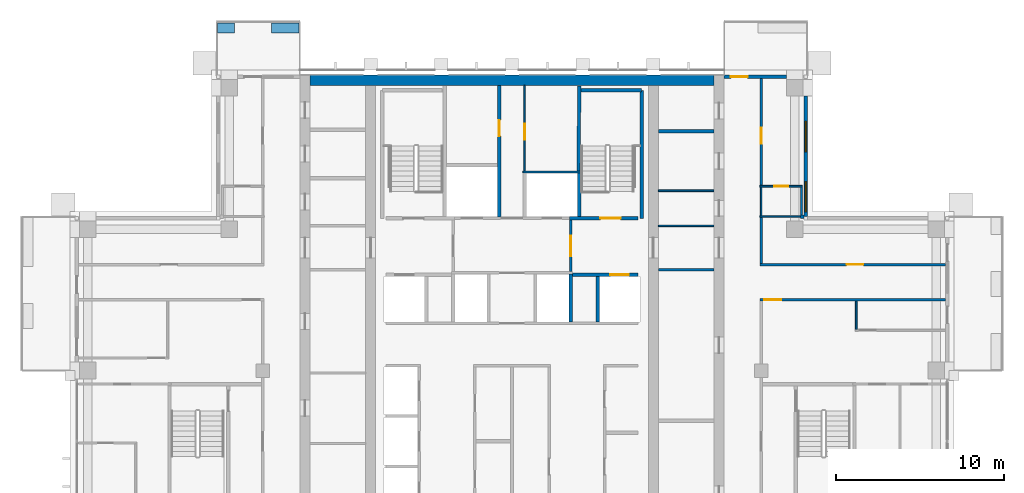
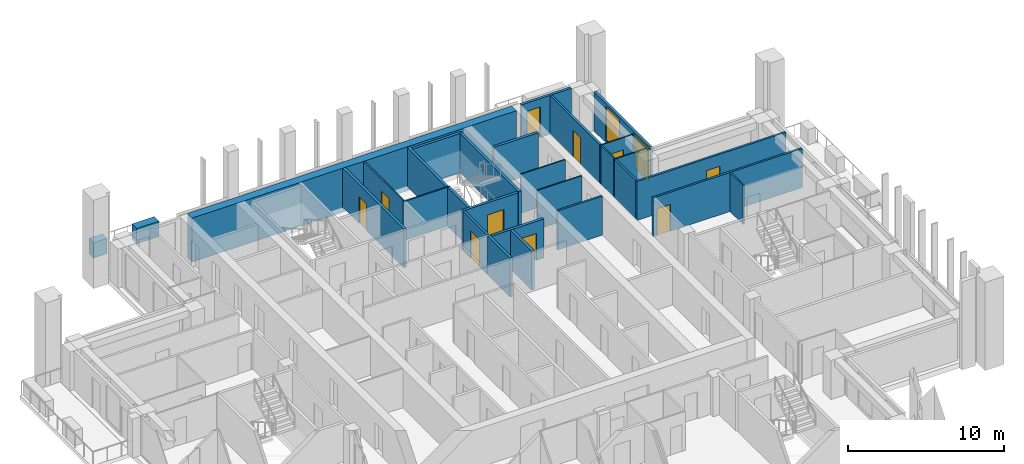
# One storey, part 11 of 16: 31 walls, 10 doors, 2 windows, 12 openings.
"""IFC4 building model written with IfcOpenShell, lengths in metres."""

import ifcopenshell
import ifcopenshell.guid

model = None  # the IFC model being written
_history = None  # IfcOwnerHistory: only IFC2X3 demands one
_inside = {}  # id of a spatial element -> (the spatial element, [elements in it])
_under = {}  # id of a project, library or spatial element -> (it, [spatial elements below it])
_declared = {}  # id of a project -> (the project, [libraries it declares])
_typed = {}  # id of a type object -> (the type object, [elements of that type])
_made_of = {}  # id of a material, layer set ... -> (it, [elements and type objects made of it])


def new_model(schema):
    """Start an empty IFC model of exactly this schema.

    Asked for "IFC4X3", IfcOpenShell would pick the latest addendum, in which some entities
    have other attributes; the version numbers below select the first issue.
    IFC2X3 requires an IfcOwnerHistory on every rooted entity: one is made here for all.
    """
    global model, _history
    if schema == "IFC4X3":
        model = ifcopenshell.file(schema_version=(4, 3, 0, 0))
    else:
        model = ifcopenshell.file(schema=schema)
    _inside.clear()
    _under.clear()
    _declared.clear()
    _typed.clear()
    _made_of.clear()
    _history = None
    if model.schema == "IFC2X3":
        org = make("IfcOrganization", Name="unknown")
        user = make(
            "IfcPersonAndOrganization",
            ThePerson=make("IfcPerson", FamilyName="unknown"),
            TheOrganization=org,
        )
        app = make(
            "IfcApplication",
            ApplicationDeveloper=org,
            Version="unknown",
            ApplicationFullName="unknown",
            ApplicationIdentifier="unknown",
        )
        _history = make(
            "IfcOwnerHistory",
            OwningUser=user,
            OwningApplication=app,
            ChangeAction="ADDED",
            CreationDate=0,
        )
    return model


def make(cls, **values):
    """One entity of the class cls with the attributes given. An attribute that is None is left unset."""
    return model.create_entity(
        cls, **{name: value for name, value in values.items() if value is not None}
    )


def rooted(cls, **values):
    """An entity with a GlobalId (a new one), such as an element, a storey or a relation."""
    return make(cls, GlobalId=ifcopenshell.guid.new(), OwnerHistory=_history, **values)


def si_unit(unit_type, name, prefix=None):
    """IfcSIUnit, for example si_unit("LENGTHUNIT", "METRE", prefix="MILLI")."""
    return make("IfcSIUnit", UnitType=unit_type, Prefix=prefix, Name=name)


def assignment(units):
    """IfcUnitAssignment: the units of a project."""
    return None if units is None else make("IfcUnitAssignment", Units=units)


def point(xyz):
    """IfcCartesianPoint."""
    return None if xyz is None else make("IfcCartesianPoint", Coordinates=xyz)


def direction(xyz):
    """IfcDirection."""
    return None if xyz is None else make("IfcDirection", DirectionRatios=xyz)


def frame(location, z_axis=None, x_axis=None):
    """IfcAxis2Placement3D, a coordinate frame: its origin and axes. An axis left out is left unset."""
    return make(
        "IfcAxis2Placement3D",
        Location=point(location),
        Axis=direction(z_axis),
        RefDirection=direction(x_axis),
    )


def frame_2d(location, x_axis=None):
    """IfcAxis2Placement2D, a coordinate frame in the plane: its origin and x axis."""
    return make(
        "IfcAxis2Placement2D", Location=point(location), RefDirection=direction(x_axis)
    )


def origin():
    """The frame at (0, 0, 0) with its axes left unset."""
    return frame((0.0, 0.0, 0.0))


def place(relative_to, where):
    """IfcLocalPlacement: puts the frame where relative to a parent placement (None: the world)."""
    return make(
        "IfcLocalPlacement", PlacementRelTo=relative_to, RelativePlacement=where
    )


def context(
    kind, dimensions, precision=None, world=None, true_north=None, identifier=None
):
    """IfcGeometricRepresentationContext, for example the 3D "Model" context."""
    return make(
        "IfcGeometricRepresentationContext",
        ContextIdentifier=identifier,
        ContextType=kind,
        CoordinateSpaceDimension=dimensions,
        Precision=precision,
        WorldCoordinateSystem=world,
        TrueNorth=true_north,
    )


def subcontext(parent, identifier, kind, view, scale=None):
    """IfcGeometricRepresentationSubContext, for example "Body" below "Model"."""
    return make(
        "IfcGeometricRepresentationSubContext",
        ContextIdentifier=identifier,
        ContextType=kind,
        ParentContext=parent,
        TargetScale=scale,
        TargetView=view,
    )


def project(units=None, contexts=None):
    """IfcProject with its units and contexts."""
    return rooted(
        "IfcProject",
        Name="project",
        RepresentationContexts=contexts,
        UnitsInContext=assignment(units),
    )


def spatial(cls, under=None, at=None, **own):
    """A site, building, storey or space (cls), placed at a placement, below another one or the project."""
    s = rooted(cls, ObjectPlacement=at, **own)
    if under is not None:
        _under.setdefault(under.id(), (under, []))[1].append(s)
    return s


def profile(cls, at=None, kind="AREA", **sizes):
    """A parametric profile (cls). Its sizes go by their IFC names, for example OverallWidth=200.0."""
    return make(cls, ProfileType=kind, Position=at, **sizes)


def rectangle(**sizes):
    """IfcRectangleProfileDef."""
    return profile("IfcRectangleProfileDef", **sizes)


def extrude(swept, where, along, depth):
    """IfcExtrudedAreaSolid: the profile swept, set in the frame where, extruded along a direction by depth."""
    return make(
        "IfcExtrudedAreaSolid",
        SweptArea=swept,
        Position=where,
        ExtrudedDirection=direction(along),
        Depth=depth,
    )


def shape(context_of_items, identifier, shape_type, items):
    """IfcShapeRepresentation: the items that make up one representation, for example the "Body"."""
    return make(
        "IfcShapeRepresentation",
        ContextOfItems=context_of_items,
        RepresentationIdentifier=identifier,
        RepresentationType=shape_type,
        Items=items,
    )


def material(Name=None, Category=None):
    """IfcMaterial."""
    return make("IfcMaterial", Name=Name, Category=Category)


def layer(
    of_material, thickness, ventilated=None, Name=None, Category=None, Priority=None
):
    """IfcMaterialLayer: one layer of a wall or slab, of a material (None: an air gap)."""
    return make(
        "IfcMaterialLayer",
        Material=of_material,
        LayerThickness=thickness,
        IsVentilated=ventilated,
        Name=Name,
        Category=Category,
        Priority=Priority,
    )


def layer_set(layers, Name=None):
    """IfcMaterialLayerSet."""
    return make("IfcMaterialLayerSet", MaterialLayers=layers, LayerSetName=Name)


def made_of(thing, what):
    """Note that an element or type object is made of a material, layer set ...; save() writes the relation."""
    if what is not None:
        _made_of.setdefault(what.id(), (what, []))[1].append(thing)
    return thing


def type_object(cls, material=None, **own):
    """A type object (cls), such as IfcWallType, which elements share."""
    return made_of(rooted(cls, **own), material)


def element(
    cls,
    number,
    at=None,
    inside=None,
    cuts=None,
    type_object=None,
    material=None,
    context=None,
    identifier="Body",
    shape_type=None,
    held_by="IfcProductDefinitionShape",
    body=None,
    shapes=None,
    **own,
):
    """One element of the class cls, such as IfcWall. Its Tag is "e" and its number.

    at: its placement. inside: the storey or other place that contains it. cuts: it is an
    opening in that element (IfcRelVoidsElement). A single representation is given by context,
    identifier, shape_type and body (its items); several are given by shapes. held_by: the class
    of the entity that holds the representations. save() writes the other relations.
    """
    e = rooted(cls, Tag="e%d" % number, ObjectPlacement=at, **own)
    if body is not None:
        shapes = [shape(context, identifier, shape_type, body)]
    if shapes is not None:
        e.Representation = make(held_by, Representations=shapes)
    if inside is not None:
        _inside.setdefault(inside.id(), (inside, []))[1].append(e)
    if cuts is not None:
        rooted(
            "IfcRelVoidsElement", RelatingBuildingElement=cuts, RelatedOpeningElement=e
        )
    if type_object is not None:
        _typed.setdefault(type_object.id(), (type_object, []))[1].append(e)
    return made_of(e, material)


def fill(opening, filler):
    """IfcRelFillsElement: the door or window that sits in an opening."""
    return rooted(
        "IfcRelFillsElement",
        RelatingOpeningElement=opening,
        RelatedBuildingElement=filler,
    )


def aggregate(whole, parts):
    """IfcRelAggregates: a whole, such as a stair, and the parts it consists of."""
    return rooted("IfcRelAggregates", RelatingObject=whole, RelatedObjects=parts)


def save(model, path):
    """Write the relations noted so far, then the file.

    IfcRelAggregates (storeys below a building ...), IfcRelContainedInSpatialStructure (elements
    in a storey), IfcRelDefinesByType, IfcRelAssociatesMaterial and IfcRelDeclares: one each for
    every whole, place, type object, material and project.
    """
    for whole, parts in _under.values():
        aggregate(whole, parts)
    for where, things in _inside.values():
        rooted(
            "IfcRelContainedInSpatialStructure",
            RelatedElements=things,
            RelatingStructure=where,
        )
    for kind, things in _typed.values():
        rooted("IfcRelDefinesByType", RelatedObjects=things, RelatingType=kind)
    for what, things in _made_of.values():
        rooted("IfcRelAssociatesMaterial", RelatedObjects=things, RelatingMaterial=what)
    for by, libraries in _declared.values():
        rooted("IfcRelDeclares", RelatingContext=by, RelatedDefinitions=libraries)
    model.write(path)


model = new_model("IFC4")

# Units and contexts
model_context = context("Model", 3, precision=1e-05, world=origin(), true_north=direction((0.0, 1.0)))
body_context = subcontext(model_context, "Body", "Model", "MODEL_VIEW")
ifc_project = project(units=[si_unit("LENGTHUNIT", "METRE"), si_unit("AREAUNIT", "SQUARE_METRE"), si_unit("VOLUMEUNIT", "CUBIC_METRE"), si_unit("PLANEANGLEUNIT", "RADIAN"), si_unit("MASSUNIT", "GRAM", prefix="KILO")], contexts=[model_context])

# Site, building, storey
site_placement = place(None, origin())
site = spatial("IfcSite", under=ifc_project, at=site_placement, CompositionType="ELEMENT")
building_placement = place(site_placement, origin())
building = spatial("IfcBuilding", under=site, at=building_placement, Name="Vermilion Ogive Tower", CompositionType="ELEMENT")
storey_placement = place(building_placement, frame((0.0, 0.0, 206.60009765625)))
storey = spatial("IfcBuildingStorey", under=building, at=storey_placement, Name="L54", CompositionType="ELEMENT", Elevation=206.60009765625)

# Walls
ifc_material_1 = material(Name="Concrete B60", Category="concrete")
ifc_layer_1 = layer(ifc_material_1, 0.60009765625)
ifc_layer_set_1 = layer_set([ifc_layer_1], Name="Core wall 600 B60")
wall_type_1 = type_object("IfcWallType", Name="Core wall 600 B60", PredefinedType="SHEAR", material=ifc_layer_set_1)
wall_1_placement = place(storey_placement, frame((-12.0, 21.449951171875, -0.400146484375), z_axis=(0.0, 0.0, 1.0), x_axis=(1.0, 0.0, 0.0)))
element("IfcWall", 1, at=wall_1_placement, inside=storey, type_object=wall_type_1, Name="L54-CORE-N", PredefinedType="SHEAR", context=body_context, shape_type="SweptSolid", body=[
    extrude(rectangle(XDim=24.0, YDim=0.60009765625, at=frame_2d((12.0, 0.0))), origin(), (0.0, 0.0, 1.0), 3.449951171875),
])
ifc_material_2 = material(Name="Gypsum board partition on steel studs", Category="steel")
ifc_layer_2 = layer(ifc_material_2, 0.10009765625)
ifc_layer_set_2 = layer_set([ifc_layer_2], Name="Partition 100 bath")
wall_type_2 = type_object("IfcWallType", Name="Partition 100 bath", PredefinedType="PARTITIONING", material=ifc_layer_set_2)
wall_2_placement = place(storey_placement, frame((14.72509765625, 13.35009765625, 0.0), z_axis=(0.0, 0.0, 1.0), x_axis=(1.0, 0.0, 0.0)))
element("IfcWall", 2, at=wall_2_placement, inside=storey, type_object=wall_type_2, Name="L54-W-W035", PredefinedType="PARTITIONING", context=body_context, shape_type="SweptSolid", body=[
    extrude(rectangle(XDim=2.52490234375, YDim=0.10009765625, at=frame_2d((1.262451171875, 0.0))), origin(), (0.0, 0.0, 1.0), 3.0498046875),
])

# Wall, opening, door
wall_3_placement = place(storey_placement, frame((14.72509765625, 15.14990234375, 0.0), z_axis=(0.0, 0.0, 1.0), x_axis=(1.0, 0.0, 0.0)))
wall_3 = element("IfcWall", 3, at=wall_3_placement, inside=storey, type_object=wall_type_2, Name="L54-W-W038", PredefinedType="PARTITIONING", context=body_context, shape_type="SweptSolid", body=[
    extrude(rectangle(XDim=2.52490234375, YDim=0.10009765625, at=frame_2d((1.262451171875, 0.0))), origin(), (0.0, 0.0, 1.0), 3.0498046875),
])
opening_1_placement = place(wall_3_placement, frame((0.849853515625, 0.0, 0.0)))
opening_1 = element("IfcOpeningElement", 4, at=opening_1_placement, cuts=wall_3, Name="Opening D4G5021", PredefinedType="OPENING", context=body_context, shape_type="SweptSolid", body=[
    extrude(rectangle(XDim=0.85009765625, YDim=2.10009765625, at=frame_2d((0.425048828125, 1.050048828125))), frame((0.0, 0.06005859375, 0.0), z_axis=(0.0, -1.0, 0.0), x_axis=(1.0, 0.0, 0.0)), (0.0, 0.0, 1.0), 0.1201171875),
])
ifc_material_3 = material(Name="Timber door leaf", Category="wood")
door_type_1 = type_object("IfcDoorType", Name="Bath door 850 x 2100 FD30", OperationType="SINGLE_SWING_LEFT", PredefinedType="DOOR", material=ifc_material_3)
door_1_placement = place(opening_1_placement, origin())
door_1 = element("IfcDoor", 5, at=door_1_placement, inside=storey, type_object=door_type_1, Name="L54-D-D021", OperationType="SINGLE_SWING_RIGHT", OverallHeight=2.10009765625, OverallWidth=0.85009765625, PredefinedType="DOOR", context=body_context, shape_type="SweptSolid", body=[
    extrude(rectangle(XDim=0.85009765625, YDim=2.10009765625, at=frame_2d((0.425048828125, 1.050048828125))), frame((0.0, 0.02490234375, 0.0), z_axis=(0.0, -1.0, 0.0), x_axis=(1.0, 0.0, 0.0)), (0.0, 0.0, 1.0), 0.050048828125),
])
fill(opening_1, door_1)

# Walls
wall_4_placement = place(storey_placement, frame((14.800048828125, 13.39990234375, 0.0), z_axis=(0.0, 0.0, 1.0), x_axis=(0.0, 1.0, 0.0)))
element("IfcWall", 6, at=wall_4_placement, inside=storey, type_object=wall_type_2, Name="L54-W-W062", PredefinedType="PARTITIONING", context=body_context, shape_type="SweptSolid", body=[
    extrude(rectangle(XDim=1.7001953125, YDim=0.10009765625, at=frame_2d((0.85009765625, 0.0))), origin(), (0.0, 0.0, 1.0), 3.0498046875),
])
wall_5_placement = place(storey_placement, frame((17.199951171875, 13.449951171875, 0.0), z_axis=(0.0, 0.0, 1.0), x_axis=(0.0, 1.0, 0.0)))
element("IfcWall", 7, at=wall_5_placement, inside=storey, type_object=wall_type_2, Name="L54-W-W065", PredefinedType="PARTITIONING", context=body_context, shape_type="SweptSolid", body=[
    extrude(rectangle(XDim=1.650146484375, YDim=0.10009765625, at=frame_2d((0.8251953125, 0.0))), origin(), (0.0, 0.0, 1.0), 3.0498046875),
])
wall_6_placement = place(storey_placement, frame((0.64990234375, 16.0, 0.0), z_axis=(0.0, 0.0, 1.0), x_axis=(1.0, 0.0, 0.0)))
element("IfcWall", 8, at=wall_6_placement, inside=storey, type_object=wall_type_2, Name="L54-CK-W-W018", PredefinedType="PARTITIONING", context=body_context, shape_type="SweptSolid", body=[
    extrude(rectangle(XDim=3.4501953125, YDim=0.10009765625, at=frame_2d((1.72509765625, 0.0))), origin(), (0.0, 0.0, 1.0), 3.0498046875),
])

# Wall, opening, door
wall_7_placement = place(storey_placement, frame((0.75, 16.050048828125, 0.0), z_axis=(0.0, 0.0, 1.0), x_axis=(0.0, 1.0, 0.0)))
wall_7 = element("IfcWall", 9, at=wall_7_placement, inside=storey, type_object=wall_type_2, Name="L54-CK-W-W030", PredefinedType="PARTITIONING", context=body_context, shape_type="SweptSolid", body=[
    extrude(rectangle(XDim=5.098876953125, YDim=0.10009765625, at=frame_2d((2.54931640625, 0.0))), origin(), (0.0, 0.0, 1.0), 3.0498046875),
])
opening_2_placement = place(wall_7_placement, frame((1.875, 0.0, 0.0)))
opening_2 = element("IfcOpeningElement", 10, at=opening_2_placement, cuts=wall_7, Name="Opening DAA502", PredefinedType="OPENING", context=body_context, shape_type="SweptSolid", body=[
    extrude(rectangle(XDim=0.949951171875, YDim=2.10009765625, at=frame_2d((0.47509765625, 1.050048828125))), frame((0.0, 0.06005859375, 0.0), z_axis=(0.0, -1.0, 0.0), x_axis=(1.0, 0.0, 0.0)), (0.0, 0.0, 1.0), 0.1201171875),
])
ifc_material_4 = material(Name="Timber door leaf", Category="wood")
door_type_2 = type_object("IfcDoorType", Name="Service door 950 x 2100 FD60", OperationType="SINGLE_SWING_LEFT", PredefinedType="DOOR", material=ifc_material_4)
door_2_placement = place(opening_2_placement, origin())
door_2 = element("IfcDoor", 11, at=door_2_placement, inside=storey, type_object=door_type_2, Name="L54-CK-D-D022", OperationType="SINGLE_SWING_LEFT", OverallHeight=2.10009765625, OverallWidth=0.949951171875, PredefinedType="DOOR", context=body_context, shape_type="SweptSolid", body=[
    extrude(rectangle(XDim=0.949951171875, YDim=2.10009765625, at=frame_2d((0.47509765625, 1.050048828125))), frame((0.0, 0.02490234375, 0.0), z_axis=(0.0, -1.0, 0.0), x_axis=(1.0, 0.0, 0.0)), (0.0, 0.0, 1.0), 0.050048828125),
])
fill(opening_2, door_2)

# Walls
for number, where, z_axis, x_axis, name in (
    (12, (8.700927734375, 12.800048828125, 0.0), (0.0, 0.0, 1.0), (1.0, 0.0, 0.0), "L54-CKE-W-W003"),
    (13, (8.700927734375, 14.89111328125, 0.0), (0.0, 0.0, 1.0), (1.0, 0.0, 0.0), "L54-CKE-W-W004"),
):
    element("IfcWall", number, at=place(storey_placement, frame(where, z_axis=z_axis, x_axis=x_axis)), inside=storey, type_object=wall_type_2, Name=name, PredefinedType="PARTITIONING", context=body_context, shape_type="SweptSolid", body=[
        extrude(rectangle(XDim=3.298095703125, YDim=0.10009765625, at=frame_2d((1.64892578125, 0.0))), origin(), (0.0, 0.0, 1.0), 3.0498046875),
    ])
ifc_material_5 = material(Name="Gypsum board partition on steel studs", Category="steel")
ifc_layer_3 = layer(ifc_material_5, 0.10009765625)
ifc_layer_set_3 = layer_set([ifc_layer_3], Name="Partition 100 inner")
wall_type_3 = type_object("IfcWallType", Name="Partition 100 inner", PredefinedType="PARTITIONING", material=ifc_layer_set_3)
wall_8_placement = place(storey_placement, frame((20.449951171875, 6.64990234375, 0.0), z_axis=(0.0, 0.0, 1.0), x_axis=(0.0, 1.0, 0.0)))
element("IfcWall", 14, at=wall_8_placement, inside=storey, type_object=wall_type_3, Name="L54-W-W069", PredefinedType="PARTITIONING", context=body_context, shape_type="SweptSolid", body=[
    extrude(rectangle(XDim=1.675048828125, YDim=0.10009765625, at=frame_2d((0.83740234375, 0.0))), origin(), (0.0, 0.0, 1.0), 3.0498046875),
])

# Wall, opening, door
ifc_material_6 = material(Name="Gypsum board partition on steel studs", Category="steel")
ifc_layer_4 = layer(ifc_material_6, 0.14990234375)
ifc_layer_set_4 = layer_set([ifc_layer_4], Name="Partition 150 corridor")
wall_type_4 = type_object("IfcWallType", Name="Partition 150 corridor", PredefinedType="PARTITIONING", material=ifc_layer_set_4)
wall_9_placement = place(storey_placement, frame((14.72509765625, 8.39990234375, 0.0), z_axis=(0.0, 0.0, 1.0), x_axis=(1.0, 0.0, 0.0)))
wall_9 = element("IfcWall", 15, at=wall_9_placement, inside=storey, type_object=wall_type_4, Name="L54-W-W030", PredefinedType="PARTITIONING", context=body_context, shape_type="SweptSolid", body=[
    extrude(rectangle(XDim=11.02490234375, YDim=0.14990234375, at=frame_2d((5.512451171875, 0.0))), origin(), (0.0, 0.0, 1.0), 3.0498046875),
])
opening_3_placement = place(wall_9_placement, frame((0.27490234375, 0.0, 0.0)))
opening_3 = element("IfcOpeningElement", 16, at=opening_3_placement, cuts=wall_9, Name="Opening D4G5017", PredefinedType="OPENING", context=body_context, shape_type="SweptSolid", body=[
    extrude(rectangle(XDim=1.0, YDim=2.10009765625, at=frame_2d((0.5, 1.050048828125))), frame((0.0, 0.0849609375, 0.0), z_axis=(0.0, -1.0, 0.0), x_axis=(1.0, 0.0, 0.0)), (0.0, 0.0, 1.0), 0.169921875),
])
ifc_material_7 = material(Name="Timber door leaf", Category="wood")
door_type_3 = type_object("IfcDoorType", Name="Unit door 1000 x 2100 FD30S", OperationType="SINGLE_SWING_LEFT", PredefinedType="DOOR", material=ifc_material_7)
door_3_placement = place(opening_3_placement, origin())
door_3 = element("IfcDoor", 17, at=door_3_placement, inside=storey, type_object=door_type_3, Name="L54-D-D017", OperationType="SINGLE_SWING_RIGHT", OverallHeight=2.10009765625, OverallWidth=1.0, PredefinedType="DOOR", context=body_context, shape_type="SweptSolid", body=[
    extrude(rectangle(XDim=1.0, YDim=2.10009765625, at=frame_2d((0.5, 1.050048828125))), frame((0.0, 0.02490234375, 0.0), z_axis=(0.0, -1.0, 0.0), x_axis=(1.0, 0.0, 0.0)), (0.0, 0.0, 1.0), 0.050048828125),
])
fill(opening_3, door_3)

wall_10_placement = place(storey_placement, frame((14.72509765625, 10.5, 0.0), z_axis=(0.0, 0.0, 1.0), x_axis=(1.0, 0.0, 0.0)))
wall_10 = element("IfcWall", 18, at=wall_10_placement, inside=storey, type_object=wall_type_4, Name="L54-W-W032", PredefinedType="PARTITIONING", context=body_context, shape_type="SweptSolid", body=[
    extrude(rectangle(XDim=11.02490234375, YDim=0.14990234375, at=frame_2d((5.512451171875, 0.0))), origin(), (0.0, 0.0, 1.0), 3.0498046875),
])
opening_4_placement = place(wall_10_placement, frame((5.14990234375, 0.0, 0.0)))
opening_4 = element("IfcOpeningElement", 19, at=opening_4_placement, cuts=wall_10, Name="Opening D4G5035", PredefinedType="OPENING", context=body_context, shape_type="SweptSolid", body=[
    extrude(rectangle(XDim=1.0, YDim=2.10009765625, at=frame_2d((0.5, 1.050048828125))), frame((0.0, 0.0849609375, 0.0), z_axis=(0.0, -1.0, 0.0), x_axis=(1.0, 0.0, 0.0)), (0.0, 0.0, 1.0), 0.169921875),
])
door_4_placement = place(opening_4_placement, origin())
door_4 = element("IfcDoor", 20, at=door_4_placement, inside=storey, type_object=door_type_3, Name="L54-D-D035", OperationType="SINGLE_SWING_RIGHT", OverallHeight=2.10009765625, OverallWidth=1.0, PredefinedType="DOOR", context=body_context, shape_type="SweptSolid", body=[
    extrude(rectangle(XDim=1.0, YDim=2.10009765625, at=frame_2d((0.5, 1.050048828125))), frame((0.0, 0.02490234375, 0.0), z_axis=(0.0, -1.0, 0.0), x_axis=(1.0, 0.0, 0.0)), (0.0, 0.0, 1.0), 0.050048828125),
])
fill(opening_4, door_4)

# Wall
wall_11_placement = place(storey_placement, frame((14.800048828125, 10.574951171875, 0.0), z_axis=(0.0, 0.0, 1.0), x_axis=(0.0, 1.0, 0.0)))
element("IfcWall", 21, at=wall_11_placement, inside=storey, type_object=wall_type_4, Name="L54-W-W061", PredefinedType="PARTITIONING", context=body_context, shape_type="SweptSolid", body=[
    extrude(rectangle(XDim=2.72509765625, YDim=0.14990234375, at=frame_2d((1.362548828125, 0.0))), origin(), (0.0, 0.0, 1.0), 3.0498046875),
])

# Wall, opening, door
wall_12_placement = place(storey_placement, frame((14.800048828125, 15.199951171875, 0.0), z_axis=(0.0, 0.0, 1.0), x_axis=(0.0, 1.0, 0.0)))
wall_12 = element("IfcWall", 22, at=wall_12_placement, inside=storey, type_object=wall_type_4, Name="L54-W-W063", PredefinedType="PARTITIONING", context=body_context, shape_type="SweptSolid", body=[
    extrude(rectangle(XDim=6.35009765625, YDim=0.14990234375, at=frame_2d((3.175048828125, 0.0))), origin(), (0.0, 0.0, 1.0), 3.0498046875),
])
opening_5_placement = place(wall_12_placement, frame((2.47509765625, 0.0, 0.0)))
opening_5 = element("IfcOpeningElement", 23, at=opening_5_placement, cuts=wall_12, Name="Opening D4G5020", PredefinedType="OPENING", context=body_context, shape_type="SweptSolid", body=[
    extrude(rectangle(XDim=0.949951171875, YDim=2.10009765625, at=frame_2d((0.47509765625, 1.050048828125))), frame((0.0, 0.0849609375, 0.0), z_axis=(0.0, -1.0, 0.0), x_axis=(1.0, 0.0, 0.0)), (0.0, 0.0, 1.0), 0.169921875),
])
ifc_material_8 = material(Name="Timber door leaf", Category="wood")
door_type_4 = type_object("IfcDoorType", Name="Unit door 950 x 2100 FD30S", OperationType="SINGLE_SWING_LEFT", PredefinedType="DOOR", material=ifc_material_8)
door_5_placement = place(opening_5_placement, origin())
door_5 = element("IfcDoor", 24, at=door_5_placement, inside=storey, type_object=door_type_4, Name="L54-D-D020", OperationType="SINGLE_SWING_LEFT", OverallHeight=2.10009765625, OverallWidth=0.949951171875, PredefinedType="DOOR", context=body_context, shape_type="SweptSolid", body=[
    extrude(rectangle(XDim=0.949951171875, YDim=2.10009765625, at=frame_2d((0.47509765625, 1.050048828125))), frame((0.0, 0.02490234375, 0.0), z_axis=(0.0, -1.0, 0.0), x_axis=(1.0, 0.0, 0.0)), (0.0, 0.0, 1.0), 0.050048828125),
])
fill(opening_5, door_5)

wall_13_placement = place(storey_placement, frame((3.5, 10.074951171875, 0.0), z_axis=(0.0, 0.0, 1.0), x_axis=(0.0, 1.0, 0.0)))
wall_13 = element("IfcWall", 25, at=wall_13_placement, inside=storey, type_object=wall_type_4, Name="L54-CK-W-W034", PredefinedType="PARTITIONING", context=body_context, shape_type="SweptSolid", body=[
    extrude(rectangle(XDim=3.074951171875, YDim=0.14990234375, at=frame_2d((1.53759765625, 0.0))), origin(), (0.0, 0.0, 1.0), 3.0498046875),
])
opening_6_placement = place(wall_13_placement, frame((0.925048828125, 0.0, 0.0)))
opening_6 = element("IfcOpeningElement", 26, at=opening_6_placement, cuts=wall_13, Name="Opening DAA491", PredefinedType="OPENING", context=body_context, shape_type="SweptSolid", body=[
    extrude(rectangle(XDim=1.199951171875, YDim=2.10009765625, at=frame_2d((0.60009765625, 1.050048828125))), frame((0.0, 0.0849609375, 0.0), z_axis=(0.0, -1.0, 0.0), x_axis=(1.0, 0.0, 0.0)), (0.0, 0.0, 1.0), 0.169921875),
])
ifc_material_9 = material(Name="Timber door leaf", Category="wood")
door_type_5 = type_object("IfcDoorType", Name="Lobby door 1200 x 2100 FD60S", OperationType="SINGLE_SWING_LEFT", PredefinedType="DOOR", material=ifc_material_9)
door_6_placement = place(opening_6_placement, origin())
door_6 = element("IfcDoor", 27, at=door_6_placement, inside=storey, type_object=door_type_5, Name="L54-CK-D-D024", OperationType="SINGLE_SWING_LEFT", OverallHeight=2.10009765625, OverallWidth=1.199951171875, PredefinedType="DOOR", context=body_context, shape_type="SweptSolid", body=[
    extrude(rectangle(XDim=1.199951171875, YDim=2.10009765625, at=frame_2d((0.60009765625, 1.050048828125))), frame((0.0, 0.02490234375, 0.0), z_axis=(0.0, -1.0, 0.0), x_axis=(1.0, 0.0, 0.0)), (0.0, 0.0, 1.0), 0.050048828125),
])
fill(opening_6, door_6)

# Walls
wall_14_placement = place(storey_placement, frame((8.700927734375, 10.199951171875, 0.0), z_axis=(0.0, 0.0, 1.0), x_axis=(1.0, 0.0, 0.0)))
element("IfcWall", 28, at=wall_14_placement, inside=storey, type_object=wall_type_4, Name="L54-CKE-W-W002", PredefinedType="PARTITIONING", context=body_context, shape_type="SweptSolid", body=[
    extrude(rectangle(XDim=3.298095703125, YDim=0.14990234375, at=frame_2d((1.64892578125, 0.0))), origin(), (0.0, 0.0, 1.0), 3.0498046875),
])
ifc_material_10 = material(Name="Gypsum board partition on steel studs", Category="steel")
ifc_layer_5 = layer(ifc_material_10, 0.199951171875)
ifc_layer_set_5 = layer_set([ifc_layer_5], Name="Partition 200 party")
wall_type_5 = type_object("IfcWallType", Name="Partition 200 party", PredefinedType="PARTITIONING", material=ifc_layer_set_5)
wall_15_placement = place(storey_placement, frame((17.14990234375, 13.35009765625, 0.0), z_axis=(0.0, 0.0, 1.0), x_axis=(1.0, 0.0, 0.0)))
element("IfcWall", 29, at=wall_15_placement, inside=storey, type_object=wall_type_5, Name="L54-W-W036", PredefinedType="PARTITIONING", context=body_context, shape_type="SweptSolid", body=[
    extrude(rectangle(XDim=0.2001953125, YDim=0.199951171875, at=frame_2d((0.10009765625, 0.0))), origin(), (0.0, 0.0, 1.0), 3.0498046875),
])

# Wall, opening, door
wall_16_placement = place(storey_placement, frame((3.60009765625, 9.89990234375, 0.0), z_axis=(0.0, 0.0, 1.0), x_axis=(1.0, 0.0, 0.0)))
wall_16 = element("IfcWall", 30, at=wall_16_placement, inside=storey, type_object=wall_type_5, Name="L54-CK-W-W013", PredefinedType="PARTITIONING", context=body_context, shape_type="SweptSolid", body=[
    extrude(rectangle(XDim=3.89990234375, YDim=0.199951171875, at=frame_2d((1.949951171875, 0.0))), origin(), (0.0, 0.0, 1.0), 3.0498046875),
])
opening_7_placement = place(wall_16_placement, frame((2.25, 0.0, 0.0)))
opening_7 = element("IfcOpeningElement", 31, at=opening_7_placement, cuts=wall_16, Name="Opening DAA511", PredefinedType="OPENING", context=body_context, shape_type="SweptSolid", body=[
    extrude(rectangle(XDim=1.10009765625, YDim=2.10009765625, at=frame_2d((0.550048828125, 1.050048828125))), frame((0.0, 0.10986328125, 0.0), z_axis=(0.0, -1.0, 0.0), x_axis=(1.0, 0.0, 0.0)), (0.0, 0.0, 1.0), 0.219970703125),
])
ifc_material_11 = material(Name="Stainless steel", Category="steel")
door_type_6 = type_object("IfcDoorType", Name="Lift landing door 1100 x 2100", OperationType="SLIDING_TO_LEFT", PredefinedType="DOOR", material=ifc_material_11)
door_7_placement = place(opening_7_placement, origin())
door_7 = element("IfcDoor", 32, at=door_7_placement, inside=storey, type_object=door_type_6, Name="L54-CK-D-D015", OperationType="SLIDING_TO_LEFT", OverallHeight=2.10009765625, OverallWidth=1.10009765625, PredefinedType="DOOR", context=body_context, shape_type="SweptSolid", body=[
    extrude(rectangle(XDim=1.10009765625, YDim=2.10009765625, at=frame_2d((0.550048828125, 1.050048828125))), frame((0.0, 0.02490234375, 0.0), z_axis=(0.0, -1.0, 0.0), x_axis=(1.0, 0.0, 0.0)), (0.0, 0.0, 1.0), 0.050048828125),
])
fill(opening_7, door_7)

wall_17_placement = place(storey_placement, frame((-0.75, 13.324951171875, 0.0), z_axis=(0.0, 0.0, 1.0), x_axis=(0.0, 1.0, 0.0)))
wall_17 = element("IfcWall", 33, at=wall_17_placement, inside=storey, type_object=wall_type_5, Name="L54-CK-W-W027", PredefinedType="PARTITIONING", context=body_context, shape_type="SweptSolid", body=[
    extrude(rectangle(XDim=7.823974609375, YDim=0.199951171875, at=frame_2d((3.912109375, 0.0))), origin(), (0.0, 0.0, 1.0), 3.0498046875),
])
opening_8_placement = place(wall_17_placement, frame((4.800048828125, 0.0, 0.0)))
opening_8 = element("IfcOpeningElement", 34, at=opening_8_placement, cuts=wall_17, Name="Opening DAA501", PredefinedType="OPENING", context=body_context, shape_type="SweptSolid", body=[
    extrude(rectangle(XDim=0.949951171875, YDim=2.10009765625, at=frame_2d((0.47509765625, 1.050048828125))), frame((0.0, 0.10986328125, 0.0), z_axis=(0.0, -1.0, 0.0), x_axis=(1.0, 0.0, 0.0)), (0.0, 0.0, 1.0), 0.219970703125),
])
door_8_placement = place(opening_8_placement, origin())
door_8 = element("IfcDoor", 35, at=door_8_placement, inside=storey, type_object=door_type_2, Name="L54-CK-D-D021", OperationType="SINGLE_SWING_RIGHT", OverallHeight=2.10009765625, OverallWidth=0.949951171875, PredefinedType="DOOR", context=body_context, shape_type="SweptSolid", body=[
    extrude(rectangle(XDim=0.949951171875, YDim=2.10009765625, at=frame_2d((0.47509765625, 1.050048828125))), frame((0.0, 0.02490234375, 0.0), z_axis=(0.0, -1.0, 0.0), x_axis=(1.0, 0.0, 0.0)), (0.0, 0.0, 1.0), 0.050048828125),
])
fill(opening_8, door_8)

# Walls
wall_18_placement = place(storey_placement, frame((3.5, 7.074951171875, 0.0), z_axis=(0.0, 0.0, 1.0), x_axis=(0.0, 1.0, 0.0)))
element("IfcWall", 36, at=wall_18_placement, inside=storey, type_object=wall_type_5, Name="L54-CK-W-W033", PredefinedType="PARTITIONING", context=body_context, shape_type="SweptSolid", body=[
    extrude(rectangle(XDim=2.85009765625, YDim=0.199951171875, at=frame_2d((1.425048828125, 0.0))), origin(), (0.0, 0.0, 1.0), 3.0498046875),
])
wall_19_placement = place(storey_placement, frame((5.10009765625, 7.074951171875, 0.0), z_axis=(0.0, 0.0, 1.0), x_axis=(0.0, 1.0, 0.0)))
element("IfcWall", 37, at=wall_19_placement, inside=storey, type_object=wall_type_5, Name="L54-CK-W-W037", PredefinedType="PARTITIONING", context=body_context, shape_type="SweptSolid", body=[
    extrude(rectangle(XDim=2.72509765625, YDim=0.199951171875, at=frame_2d((1.362548828125, 0.0))), origin(), (0.0, 0.0, 1.0), 3.0498046875),
])
wall_20_placement = place(storey_placement, frame((8.700927734375, 18.410888671875, 0.0), z_axis=(0.0, 0.0, 1.0), x_axis=(1.0, 0.0, 0.0)))
element("IfcWall", 38, at=wall_20_placement, inside=storey, type_object=wall_type_5, Name="L54-CKE-W-W005", PredefinedType="PARTITIONING", context=body_context, shape_type="SweptSolid", body=[
    extrude(rectangle(XDim=3.298095703125, YDim=0.199951171875, at=frame_2d((1.64892578125, 0.0))), origin(), (0.0, 0.0, 1.0), 3.0498046875),
])

# Wall, opening, door
ifc_material_12 = material(Name="Concrete B60", Category="concrete")
ifc_layer_6 = layer(ifc_material_12, 0.199951171875)
ifc_layer_set_6 = layer_set([ifc_layer_6], Name="Stair shaft wall 200 Concrete B60")
wall_type_6 = type_object("IfcWallType", Name="Stair shaft wall 200 Concrete B60", PredefinedType="SOLIDWALL", material=ifc_layer_set_6)
wall_21_placement = place(storey_placement, frame((3.425048828125, 13.25, 0.0), z_axis=(0.0, 0.0, 1.0), x_axis=(1.0, 0.0, 0.0)))
wall_21 = element("IfcWall", 39, at=wall_21_placement, inside=storey, type_object=wall_type_6, Name="L54-CK-W-W017", PredefinedType="SOLIDWALL", context=body_context, shape_type="SweptSolid", body=[
    extrude(rectangle(XDim=4.074951171875, YDim=0.199951171875, at=frame_2d((2.03759765625, 0.0))), origin(), (0.0, 0.0, 1.0), 3.0498046875),
])
opening_9_placement = place(wall_21_placement, frame((1.824951171875, 0.0, 0.0)))
opening_9 = element("IfcOpeningElement", 40, at=opening_9_placement, cuts=wall_21, Name="Opening DAA504", PredefinedType="OPENING", context=body_context, shape_type="SweptSolid", body=[
    extrude(rectangle(XDim=1.199951171875, YDim=2.10009765625, at=frame_2d((0.60009765625, 1.050048828125))), frame((0.0, 0.10986328125, 0.0), z_axis=(0.0, -1.0, 0.0), x_axis=(1.0, 0.0, 0.0)), (0.0, 0.0, 1.0), 0.219970703125),
])
ifc_material_13 = material(Name="Timber door leaf", Category="wood")
door_type_7 = type_object("IfcDoorType", Name="Stair door 1200 x 2100 FD60S", OperationType="SINGLE_SWING_LEFT", PredefinedType="DOOR", material=ifc_material_13)
door_9_placement = place(opening_9_placement, origin())
door_9 = element("IfcDoor", 41, at=door_9_placement, inside=storey, type_object=door_type_7, Name="L54-CK-D-D014", OperationType="SINGLE_SWING_RIGHT", OverallHeight=2.10009765625, OverallWidth=1.199951171875, PredefinedType="DOOR", context=body_context, shape_type="SweptSolid", body=[
    extrude(rectangle(XDim=1.199951171875, YDim=2.10009765625, at=frame_2d((0.60009765625, 1.050048828125))), frame((0.0, 0.02490234375, 0.0), z_axis=(0.0, -1.0, 0.0), x_axis=(1.0, 0.0, 0.0)), (0.0, 0.0, 1.0), 0.050048828125),
])
fill(opening_9, door_9)

# Walls
wall_22_placement = place(storey_placement, frame((4.0, 13.35009765625, 0.0), z_axis=(0.0, 0.0, 1.0), x_axis=(0.0, 1.0, 0.0)))
element("IfcWall", 42, at=wall_22_placement, inside=storey, type_object=wall_type_6, Name="L54-CK-W-W035", PredefinedType="SOLIDWALL", context=body_context, shape_type="SweptSolid", body=[
    extrude(rectangle(XDim=2.599853515625, YDim=0.199951171875, at=frame_2d((1.2998046875, 0.0))), origin(), (0.0, 0.0, 1.0), 3.0498046875),
])
wall_23_placement = place(storey_placement, frame((3.949951171875, 16.050048828125, 0.0), z_axis=(0.0, 0.0, 1.0), x_axis=(0.009911993103, 0.99995087499, 0.0)))
element("IfcWall", 43, at=wall_23_placement, inside=storey, type_object=wall_type_6, Name="L54-CK-W-W036", PredefinedType="SOLIDWALL", context=body_context, shape_type="SweptSolid", body=[
    extrude(rectangle(XDim=5.04931640625, YDim=0.199951171875, at=frame_2d((2.524658203125, 0.0))), origin(), (0.0, 0.0, 1.0), 3.0498046875),
])
wall_24_placement = place(storey_placement, frame((7.699951171875, 13.25, 0.0), z_axis=(0.0, 0.0, 1.0), x_axis=(0.0, 1.0, 0.0)))
element("IfcWall", 44, at=wall_24_placement, inside=storey, type_object=wall_type_6, Name="L54-SW-R021-E1", PredefinedType="SOLIDWALL", context=body_context, shape_type="SweptSolid", body=[
    extrude(rectangle(XDim=7.60009765625, YDim=0.199951171875, at=frame_2d((3.800048828125, 0.0))), origin(), (0.0, 0.0, 1.0), 3.0498046875),
])
wall_25_placement = place(storey_placement, frame((4.10009765625, 20.85009765625, 0.0), z_axis=(0.0, 0.0, 1.0), x_axis=(1.0, 0.0, 0.0)))
element("IfcWall", 45, at=wall_25_placement, inside=storey, type_object=wall_type_6, Name="L54-SW-R021-N1", PredefinedType="SOLIDWALL", context=body_context, shape_type="SweptSolid", body=[
    extrude(rectangle(XDim=3.599853515625, YDim=0.199951171875, at=frame_2d((1.7998046875, 0.0))), origin(), (0.0, 0.0, 1.0), 3.0498046875),
])
ifc_material_14 = material(Name="Concrete B40", Category="concrete")
ifc_layer_7 = layer(ifc_material_14, 0.60009765625)
ifc_layer_set_7 = layer_set([ifc_layer_7], Name="Structural planter")
wall_type_7 = type_object("IfcWallType", Name="Structural planter", PredefinedType="USERDEFINED", material=ifc_layer_set_7)
wall_26_placement = place(storey_placement, frame((-12.659912109375, 24.550048828125, -0.0400390625), z_axis=(0.0, 0.0, 1.0), x_axis=(-1.0, 0.0, 0.0)))
element("IfcWall", 46, at=wall_26_placement, inside=storey, type_object=wall_type_7, Name="Planter N201A1", ObjectType="PLANTER", PredefinedType="USERDEFINED", context=body_context, shape_type="SweptSolid", body=[
    extrude(rectangle(XDim=1.64013671875, YDim=0.60009765625, at=frame_2d((0.820068359375, 0.0))), origin(), (0.0, 0.0, 1.0), 1.199951171875),
])
wall_27_placement = place(storey_placement, frame((-16.5, 24.550048828125, -0.0400390625), z_axis=(0.0, 0.0, 1.0), x_axis=(-1.0, 0.0, 0.0)))
element("IfcWall", 47, at=wall_27_placement, inside=storey, type_object=wall_type_7, Name="Planter N201A2", ObjectType="PLANTER", PredefinedType="USERDEFINED", context=body_context, shape_type="SweptSolid", body=[
    extrude(rectangle(XDim=0.989990234375, YDim=0.60009765625, at=frame_2d((0.4951171875, 0.0))), origin(), (0.0, 0.0, 1.0), 1.199951171875),
])

# Wall, openings, windows
ifc_material_15 = material(Name="Aluminium window wall framing", Category="aluminium")
ifc_layer_8 = layer(ifc_material_15, 0.199951171875)
ifc_layer_set_8 = layer_set([ifc_layer_8], Name="Window wall")
wall_type_8 = type_object("IfcWallType", Name="Window wall", PredefinedType="STANDARD", material=ifc_layer_set_8)
wall_28_placement = place(storey_placement, frame((17.449951171875, 13.35009765625, 0.0), z_axis=(0.0, 0.0, 1.0), x_axis=(0.0, 1.0, 0.0)))
wall_28 = element("IfcWall", 48, at=wall_28_placement, inside=storey, type_object=wall_type_8, Name="Window wall X41", PredefinedType="STANDARD", context=body_context, shape_type="SweptSolid", body=[
    extrude(rectangle(XDim=7.14990234375, YDim=0.199951171875, at=frame_2d((3.574951171875, 0.0))), origin(), (0.0, 0.0, 1.0), 3.0498046875),
])
opening_10_placement = place(wall_28_placement, frame((0.27490234375, 0.0, 0.199951171875)))
opening_10 = element("IfcOpeningElement", 49, at=opening_10_placement, cuts=wall_28, Name="Opening W1-X403", PredefinedType="OPENING", context=body_context, shape_type="SweptSolid", body=[
    extrude(rectangle(XDim=1.800048828125, YDim=2.64990234375, at=frame_2d((0.89990234375, 1.324951171875))), frame((0.0, 0.10986328125, 0.0), z_axis=(0.0, -1.0, 0.0), x_axis=(1.0, 0.0, 0.0)), (0.0, 0.0, 1.0), 0.219970703125),
])
opening_11_placement = place(wall_28_placement, frame((3.85009765625, 0.0, 0.199951171875)))
opening_11 = element("IfcOpeningElement", 50, at=opening_11_placement, cuts=wall_28, Name="Opening W1-X404", PredefinedType="OPENING", context=body_context, shape_type="SweptSolid", body=[
    extrude(rectangle(XDim=1.800048828125, YDim=2.64990234375, at=frame_2d((0.89990234375, 1.324951171875))), frame((0.0, 0.10986328125, 0.0), z_axis=(0.0, -1.0, 0.0), x_axis=(1.0, 0.0, 0.0)), (0.0, 0.0, 1.0), 0.219970703125),
])
ifc_material_16 = material(Name="Aluminium framed double glazing", Category="aluminium")
window_type = type_object("IfcWindowType", Name="Guest window W1", PartitioningType="SINGLE_PANEL", PredefinedType="WINDOW", material=ifc_material_16)
window_1_placement = place(opening_10_placement, origin())
window_1 = element("IfcWindow", 51, at=window_1_placement, inside=storey, type_object=window_type, Name="Window X403", OverallHeight=2.64990234375, OverallWidth=1.800048828125, PartitioningType="SINGLE_PANEL", PredefinedType="WINDOW", context=body_context, shape_type="SweptSolid", body=[
    extrude(rectangle(XDim=1.800048828125, YDim=2.64990234375, at=frame_2d((0.89990234375, 1.324951171875))), frame((0.0, 0.030029296875, 0.0), z_axis=(0.0, -1.0, 0.0), x_axis=(1.0, 0.0, 0.0)), (0.0, 0.0, 1.0), 0.06005859375),
])
fill(opening_10, window_1)
window_2_placement = place(opening_11_placement, origin())
window_2 = element("IfcWindow", 52, at=window_2_placement, inside=storey, type_object=window_type, Name="Window X404", OverallHeight=2.64990234375, OverallWidth=1.800048828125, PartitioningType="SINGLE_PANEL", PredefinedType="WINDOW", context=body_context, shape_type="SweptSolid", body=[
    extrude(rectangle(XDim=1.800048828125, YDim=2.64990234375, at=frame_2d((0.89990234375, 1.324951171875))), frame((0.0, 0.030029296875, 0.0), z_axis=(0.0, -1.0, 0.0), x_axis=(1.0, 0.0, 0.0)), (0.0, 0.0, 1.0), 0.06005859375),
])
fill(opening_11, window_2)

# Wall, opening, door
wall_29_placement = place(storey_placement, frame((16.300048828125, 21.64990234375, 0.0), z_axis=(0.0, 0.0, 1.0), x_axis=(-1.0, 0.0, 0.0)))
wall_29 = element("IfcWall", 53, at=wall_29_placement, inside=storey, type_object=wall_type_8, Name="Window wall N11", PredefinedType="STANDARD", context=body_context, shape_type="SweptSolid", body=[
    extrude(rectangle(XDim=3.699951171875, YDim=0.199951171875, at=frame_2d((1.85009765625, 0.0))), origin(), (0.0, 0.0, 1.0), 3.0498046875),
])
opening_12_placement = place(wall_29_placement, frame((2.300048828125, 0.0, 0.0)))
opening_12 = element("IfcOpeningElement", 54, at=opening_12_placement, cuts=wall_29, Name="Opening D1-N103", PredefinedType="OPENING", context=body_context, shape_type="SweptSolid", body=[
    extrude(rectangle(XDim=1.0, YDim=2.39990234375, at=frame_2d((0.5, 1.199951171875))), frame((0.0, 0.10986328125, 0.0), z_axis=(0.0, -1.0, 0.0), x_axis=(1.0, 0.0, 0.0)), (0.0, 0.0, 1.0), 0.219970703125),
])
ifc_material_17 = material(Name="Aluminium framed glazed door", Category="aluminium")
door_type_8 = type_object("IfcDoorType", Name="Balcony door D1", OperationType="SINGLE_SWING_LEFT", PredefinedType="DOOR", material=ifc_material_17)
door_10_placement = place(opening_12_placement, origin())
door_10 = element("IfcDoor", 55, at=door_10_placement, inside=storey, type_object=door_type_8, Name="Balcony door N103", OperationType="SINGLE_SWING_LEFT", OverallHeight=2.39990234375, OverallWidth=1.0, PredefinedType="DOOR", context=body_context, shape_type="SweptSolid", body=[
    extrude(rectangle(XDim=1.0, YDim=2.39990234375, at=frame_2d((0.5, 1.199951171875))), frame((0.0, 0.02490234375, 0.0), z_axis=(0.0, -1.0, 0.0), x_axis=(1.0, 0.0, 0.0)), (0.0, 0.0, 1.0), 0.050048828125),
])
fill(opening_12, door_10)

save(model, "model.ifc")
